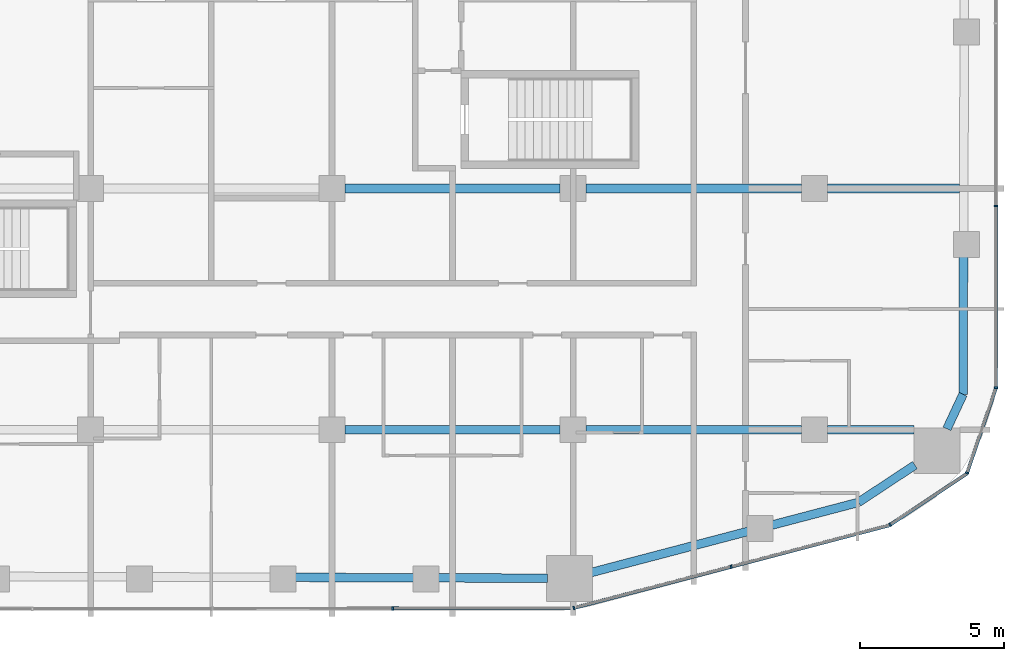
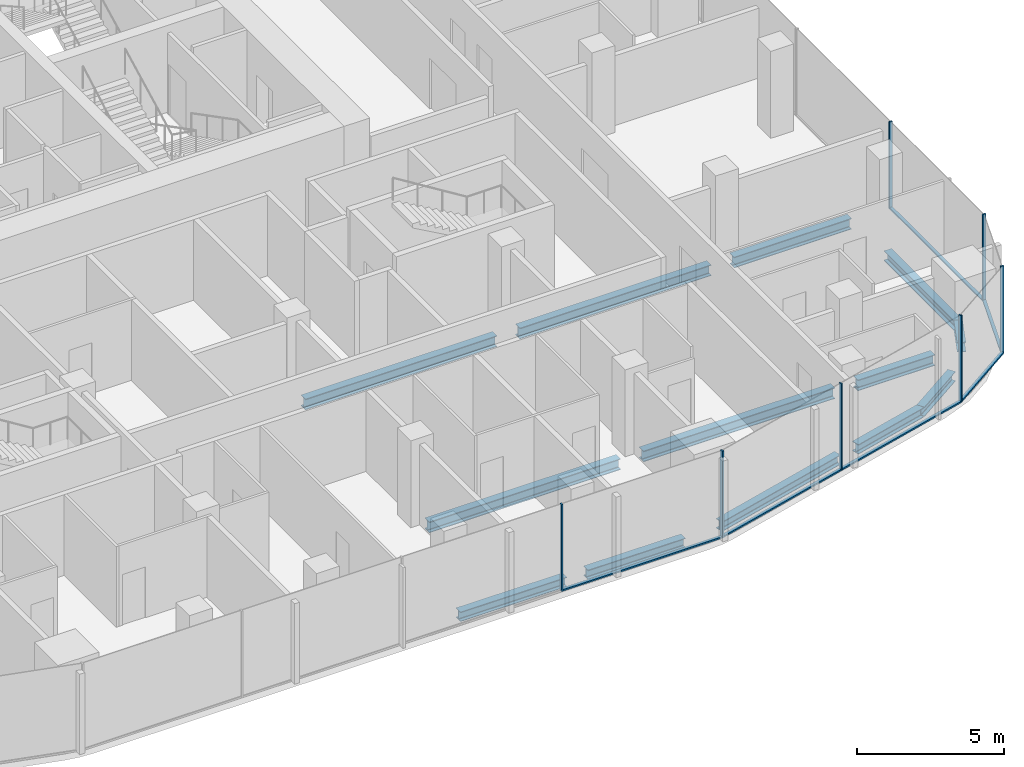
# One storey, part 6 of 23: 13 beams, 13 members, 5 elements without a shape of their own.
"""IFC4 building model written with IfcOpenShell, lengths in metres."""

from ifc_helpers import new_model, si_unit, direction, frame, origin, origin_2d, place, context, subcontext, project, spatial, rectangle, i_section, extrude, material, layer, layer_set, material_profile, profile_set, type_object, element, aggregate, save


model = new_model("IFC4")

# Units and contexts
model_context = context("Model", 3, precision=1e-05, world=origin(), true_north=direction((0.0, 1.0)))
body_context = subcontext(model_context, "Body", "Model", "MODEL_VIEW")
ifc_project = project(units=[si_unit("LENGTHUNIT", "METRE"), si_unit("AREAUNIT", "SQUARE_METRE"), si_unit("VOLUMEUNIT", "CUBIC_METRE"), si_unit("PLANEANGLEUNIT", "RADIAN"), si_unit("MASSUNIT", "GRAM", prefix="KILO")], contexts=[model_context])

# Site, building, storey
site_placement = place(None, origin())
site = spatial("IfcSite", under=ifc_project, at=site_placement, CompositionType="ELEMENT")
building_placement = place(site_placement, origin())
building = spatial("IfcBuilding", under=site, at=building_placement, Name="Marenta Gate Hotel Tower", CompositionType="ELEMENT")
storey_placement = place(building_placement, frame((0.0, 0.0, 148.10009765625)))
storey = spatial("IfcBuildingStorey", under=building, at=storey_placement, Name="L34", CompositionType="ELEMENT", Elevation=148.10009765625)

# Beams
ifc_material_1 = material(Name="Steel S355", Category="steel")
ifc_material_profile_1 = material_profile(ifc_material_1, i_section(OverallWidth=0.300048828125, OverallDepth=0.39990234375, WebThickness=0.013427734375, FlangeThickness=0.02392578125, FilletRadius=0.027099609375, at=origin_2d()), Name="HEB 400")
ifc_profile_set_1 = profile_set([ifc_material_profile_1], Name="Steel S355")
beam_type_1 = type_object("IfcBeamType", Name="Edge beam HEB 400", PredefinedType="SPANDREL", material=ifc_profile_set_1)
beam_1_placement = place(storey_placement, frame((26.191162109375, -10.761962890625, -0.460205078125), z_axis=(-0.003353298899, -0.999994377677, 0.0), x_axis=(0.999994377677, -0.003353298899, 0.0)))
element("IfcBeam", 1, at=beam_1_placement, inside=storey, type_object=beam_type_1, Name="L34-EB-27", PredefinedType="SPANDREL", context=body_context, shape_type="SweptSolid", body=[
    extrude(i_section(OverallWidth=0.300048828125, OverallDepth=0.39990234375, WebThickness=0.013427734375, FlangeThickness=0.02392578125, FilletRadius=0.027099609375, at=origin_2d()), origin(), (0.0, 0.0, 1.0), 4.80517578125),
])
beam_2_placement = place(storey_placement, frame((26.175048828125, -15.567138671875, -0.460205078125), z_axis=(-0.423207780269, -0.906032656541, 0.0), x_axis=(0.906032656541, -0.423207780269, 0.0)))
element("IfcBeam", 2, at=beam_2_placement, inside=storey, type_object=beam_type_1, Name="L34-EB-28", PredefinedType="SPANDREL", context=body_context, shape_type="SweptSolid", body=[
    extrude(i_section(OverallWidth=0.300048828125, OverallDepth=0.39990234375, WebThickness=0.013427734375, FlangeThickness=0.02392578125, FilletRadius=0.027099609375, at=origin_2d()), origin(), (0.0, 0.0, 1.0), 1.326904296875),
])
beam_3_placement = place(storey_placement, frame((24.496337890625, -18.0322265625, -0.460205078125), z_axis=(-0.834496060599, -0.551013906217, 0.0), x_axis=(0.551013906217, -0.834496060599, 0.0)))
element("IfcBeam", 3, at=beam_3_placement, inside=storey, type_object=beam_type_1, Name="L34-EB-29", PredefinedType="SPANDREL", context=body_context, shape_type="SweptSolid", body=[
    extrude(i_section(OverallWidth=0.300048828125, OverallDepth=0.39990234375, WebThickness=0.013427734375, FlangeThickness=0.02392578125, FilletRadius=0.027099609375, at=origin_2d()), origin(), (0.0, 0.0, 1.0), 2.357177734375),
])
beam_4_placement = place(storey_placement, frame((22.529296875, -19.3310546875, -0.460205078125), z_axis=(-0.967224706208, -0.25392197168, 0.0), x_axis=(0.25392197168, -0.967224706208, 0.0)))
element("IfcBeam", 4, at=beam_4_placement, inside=storey, type_object=beam_type_1, Name="L34-EB-30", PredefinedType="SPANDREL", context=body_context, shape_type="SweptSolid", body=[
    extrude(i_section(OverallWidth=0.300048828125, OverallDepth=0.39990234375, WebThickness=0.013427734375, FlangeThickness=0.02392578125, FilletRadius=0.027099609375, at=origin_2d()), origin(), (0.0, 0.0, 1.0), 3.11328125),
])
beam_5_placement = place(storey_placement, frame((18.695556640625, -20.33740234375, -0.460205078125), z_axis=(-0.96723321901, -0.253889542999, 0.0), x_axis=(0.253889542999, -0.96723321901, 0.0)))
element("IfcBeam", 5, at=beam_5_placement, inside=storey, type_object=beam_type_1, Name="L34-EB-31", PredefinedType="SPANDREL", context=body_context, shape_type="SweptSolid", body=[
    extrude(i_section(OverallWidth=0.300048828125, OverallDepth=0.39990234375, WebThickness=0.013427734375, FlangeThickness=0.02392578125, FilletRadius=0.027099609375, at=origin_2d()), origin(), (0.0, 0.0, 1.0), 5.6533203125),
])
beam_6_placement = place(storey_placement, frame((11.706298828125, -21.97021484375, -0.460205078125), z_axis=(-0.999994883969, 0.003198755307, 0.0), x_axis=(-0.003198755307, -0.999994883969, 0.0)))
element("IfcBeam", 6, at=beam_6_placement, inside=storey, type_object=beam_type_1, Name="L34-EB-32", PredefinedType="SPANDREL", context=body_context, shape_type="SweptSolid", body=[
    extrude(i_section(OverallWidth=0.300048828125, OverallDepth=0.39990234375, WebThickness=0.013427734375, FlangeThickness=0.02392578125, FilletRadius=0.027099609375, at=origin_2d()), origin(), (0.0, 0.0, 1.0), 3.816162109375),
])
beam_7_placement = place(storey_placement, frame((7.070068359375, -21.955322265625, -0.460205078125), z_axis=(-0.999994807487, 0.003222576575, 0.0), x_axis=(-0.003222576575, -0.999994807487, 0.0)))
element("IfcBeam", 7, at=beam_7_placement, inside=storey, type_object=beam_type_1, Name="L34-EB-33", PredefinedType="SPANDREL", context=body_context, shape_type="SweptSolid", body=[
    extrude(i_section(OverallWidth=0.300048828125, OverallDepth=0.39990234375, WebThickness=0.013427734375, FlangeThickness=0.02392578125, FilletRadius=0.027099609375, at=origin_2d()), origin(), (0.0, 0.0, 1.0), 4.166748046875),
])
ifc_material_2 = material(Name="Steel S355", Category="steel")
ifc_material_profile_2 = material_profile(ifc_material_2, i_section(OverallWidth=0.300048828125, OverallDepth=0.449951171875, WebThickness=0.013916015625, FlangeThickness=0.02587890625, FilletRadius=0.027099609375, at=origin_2d()), Name="HEB 450")
ifc_profile_set_2 = profile_set([ifc_material_profile_2], Name="Steel S355")
beam_type_2 = type_object("IfcBeamType", Name="Girder HEB 450", PredefinedType="BEAM", material=ifc_profile_set_2)
for number, where, z_axis, x_axis, name in (
    (8, (4.64990234375, -16.800048828125, -0.485107421875), (1.0, 0.0, 0.0), (0.0, 1.0, 0.0), "L34-GD-5"),
    (9, (13.050048828125, -16.800048828125, -0.485107421875), (1.0, 0.0, 0.0), (0.0, 1.0, 0.0), "L34-GD-6"),
):
    element("IfcBeam", number, at=place(storey_placement, frame(where, z_axis=z_axis, x_axis=x_axis)), inside=storey, type_object=beam_type_2, Name=name, PredefinedType="BEAM", context=body_context, shape_type="SweptSolid", body=[
        extrude(i_section(OverallWidth=0.300048828125, OverallDepth=0.449951171875, WebThickness=0.013916015625, FlangeThickness=0.02587890625, FilletRadius=0.027099609375, at=origin_2d()), origin(), (0.0, 0.0, 1.0), 7.5),
    ])
beam_8_placement = place(storey_placement, frame((21.449951171875, -16.800048828125, -0.485107421875), z_axis=(1.0, 0.0, 0.0), x_axis=(0.0, 1.0, 0.0)))
element("IfcBeam", 10, at=beam_8_placement, inside=storey, type_object=beam_type_2, Name="L34-GD-7", PredefinedType="BEAM", context=body_context, shape_type="SweptSolid", body=[
    extrude(i_section(OverallWidth=0.300048828125, OverallDepth=0.449951171875, WebThickness=0.013916015625, FlangeThickness=0.02587890625, FilletRadius=0.027099609375, at=origin_2d()), origin(), (0.0, 0.0, 1.0), 3.012939453125),
])
for number, where, z_axis, x_axis, name in (
    (11, (4.64990234375, -8.39990234375, -0.485107421875), (1.0, 0.0, 0.0), (0.0, 1.0, 0.0), "L34-GD-12"),
    (12, (13.050048828125, -8.39990234375, -0.485107421875), (1.0, 0.0, 0.0), (0.0, 1.0, 0.0), "L34-GD-13"),
):
    element("IfcBeam", number, at=place(storey_placement, frame(where, z_axis=z_axis, x_axis=x_axis)), inside=storey, type_object=beam_type_2, Name=name, PredefinedType="BEAM", context=body_context, shape_type="SweptSolid", body=[
        extrude(i_section(OverallWidth=0.300048828125, OverallDepth=0.449951171875, WebThickness=0.013916015625, FlangeThickness=0.02587890625, FilletRadius=0.027099609375, at=origin_2d()), origin(), (0.0, 0.0, 1.0), 7.5),
    ])
beam_9_placement = place(storey_placement, frame((21.449951171875, -8.39990234375, -0.485107421875), z_axis=(1.0, 0.0, 0.0), x_axis=(0.0, 1.0, 0.0)))
element("IfcBeam", 13, at=beam_9_placement, inside=storey, type_object=beam_type_2, Name="L34-GD-14", PredefinedType="BEAM", context=body_context, shape_type="SweptSolid", body=[
    extrude(i_section(OverallWidth=0.300048828125, OverallDepth=0.449951171875, WebThickness=0.013916015625, FlangeThickness=0.02587890625, FilletRadius=0.027099609375, at=origin_2d()), origin(), (0.0, 0.0, 1.0), 4.59912109375),
])

# Curtain wall, member
ifc_material_3 = material(Name="Tinted insulated glass in bronze anodised frame", Category="glass")
ifc_layer = layer(ifc_material_3, 0.1201171875)
ifc_layer_set = layer_set([ifc_layer], Name="Tinted insulated glass in bronze anodised frame")
curtain_wall_type = type_object("IfcCurtainWallType", Name="Tower unitised curtain wall CW1", PredefinedType="NOTDEFINED", material=ifc_layer_set)
curtain_wall_1_placement = place(storey_placement, origin())
curtain_wall_1 = element("IfcCurtainWall", 14, at=curtain_wall_1_placement, inside=storey, type_object=curtain_wall_type, Name="CW1 run G07", PredefinedType="NOTDEFINED")
ifc_material_4 = material(Name="Bronze anodised aluminium", Category="aluminium")
ifc_material_profile_3 = material_profile(ifc_material_4, rectangle(XDim=0.1201171875, YDim=0.06005859375, at=origin_2d()), Name="Mullion CW1 60x120 bronze anodised aluminium")
ifc_profile_set_3 = profile_set([ifc_material_profile_3], Name="Bronze anodised aluminium")
member_type_1 = type_object("IfcMemberType", Name="Mullion CW1 60x120 bronze anodised aluminium", PredefinedType="MULLION", material=ifc_profile_set_3)
member_1_placement = place(storey_placement, frame((6.32177734375, -23.021728515625, 0.0), z_axis=(0.0, 0.0, 1.0), x_axis=(-0.001362347707, 0.999999072004, 0.0)))
member_1 = element("IfcMember", 15, at=member_1_placement, type_object=member_type_1, Name="CW1 mullion 4", PredefinedType="MULLION", context=body_context, shape_type="SweptSolid", body=[
    extrude(rectangle(XDim=0.1201171875, YDim=0.06005859375, at=origin_2d()), origin(), (0.0, 0.0, 1.0), 3.599853515625),
])

# Curtain wall, members
curtain_wall_2_placement = place(storey_placement, origin())
curtain_wall_2 = element("IfcCurtainWall", 16, at=curtain_wall_2_placement, inside=storey, type_object=curtain_wall_type, Name="CW1 run G08", PredefinedType="NOTDEFINED")
member_2_placement = place(storey_placement, frame((12.626708984375, -23.005615234375, 0.0), z_axis=(0.0, 0.0, 1.0), x_axis=(-0.253374270473, 0.967368326473, 0.0)))
member_2 = element("IfcMember", 17, at=member_2_placement, type_object=member_type_1, Name="CW1 mullion 1", PredefinedType="MULLION", context=body_context, shape_type="SweptSolid", body=[
    extrude(rectangle(XDim=0.1201171875, YDim=0.06005859375, at=origin_2d()), origin(), (0.0, 0.0, 1.0), 3.599853515625),
])
member_3_placement = place(storey_placement, frame((18.102783203125, -21.571533203125, 0.0), z_axis=(0.0, 0.0, 1.0), x_axis=(-0.253374270473, 0.967368326473, 0.0)))
member_3 = element("IfcMember", 18, at=member_3_placement, type_object=member_type_1, Name="CW1 mullion 2", PredefinedType="MULLION", context=body_context, shape_type="SweptSolid", body=[
    extrude(rectangle(XDim=0.1201171875, YDim=0.06005859375, at=origin_2d()), origin(), (0.0, 0.0, 1.0), 3.599853515625),
])

# Curtain wall, member
curtain_wall_3_placement = place(storey_placement, origin())
curtain_wall_3 = element("IfcCurtainWall", 19, at=curtain_wall_3_placement, inside=storey, type_object=curtain_wall_type, Name="CW1 run G09", PredefinedType="NOTDEFINED")
member_4_placement = place(storey_placement, frame((23.632568359375, -20.113037109375, 0.0), z_axis=(0.0, 0.0, 1.0), x_axis=(-0.554016243423, 0.832505857051, 0.0)))
member_4 = element("IfcMember", 20, at=member_4_placement, type_object=member_type_1, Name="CW1 mullion 1", PredefinedType="MULLION", context=body_context, shape_type="SweptSolid", body=[
    extrude(rectangle(XDim=0.1201171875, YDim=0.06005859375, at=origin_2d()), origin(), (0.0, 0.0, 1.0), 3.599853515625),
])

curtain_wall_4_placement = place(storey_placement, origin())
curtain_wall_4 = element("IfcCurtainWall", 21, at=curtain_wall_4_placement, inside=storey, type_object=curtain_wall_type, Name="CW1 run G10", PredefinedType="NOTDEFINED")
member_5_placement = place(storey_placement, frame((26.314453125, -18.30615234375, 0.0), z_axis=(0.0, 0.0, 1.0), x_axis=(-0.946728385013, 0.322033173773, 0.0)))
member_5 = element("IfcMember", 22, at=member_5_placement, type_object=member_type_1, Name="CW1 mullion 1", PredefinedType="MULLION", context=body_context, shape_type="SweptSolid", body=[
    extrude(rectangle(XDim=0.1201171875, YDim=0.06005859375, at=origin_2d()), origin(), (0.0, 0.0, 1.0), 3.599853515625),
])

# Curtain wall, members
curtain_wall_5_placement = place(storey_placement, origin())
curtain_wall_5 = element("IfcCurtainWall", 23, at=curtain_wall_5_placement, inside=storey, type_object=curtain_wall_type, Name="CW1 run G11", PredefinedType="NOTDEFINED")
member_6_placement = place(storey_placement, frame((27.31396484375, -15.337890625, 0.0), z_axis=(0.0, 0.0, 1.0), x_axis=(-1.0, 0.0, 0.0)))
member_6 = element("IfcMember", 24, at=member_6_placement, type_object=member_type_1, Name="CW1 mullion 1", PredefinedType="MULLION", context=body_context, shape_type="SweptSolid", body=[
    extrude(rectangle(XDim=0.1201171875, YDim=0.06005859375, at=origin_2d()), origin(), (0.0, 0.0, 1.0), 3.599853515625),
])
member_7_placement = place(storey_placement, frame((27.31396484375, -9.008056640625, 0.0), z_axis=(0.0, 0.0, 1.0), x_axis=(-1.0, 0.0, 0.0)))
member_7 = element("IfcMember", 25, at=member_7_placement, type_object=member_type_1, Name="CW1 mullion 2", PredefinedType="MULLION", context=body_context, shape_type="SweptSolid", body=[
    extrude(rectangle(XDim=0.1201171875, YDim=0.06005859375, at=origin_2d()), origin(), (0.0, 0.0, 1.0), 3.599853515625),
])

# Member
ifc_material_5 = material(Name="Bronze anodised aluminium", Category="aluminium")
ifc_material_profile_4 = material_profile(ifc_material_5, rectangle(XDim=0.1201171875, YDim=0.06005859375, at=origin_2d()), Name="Transom CW1 60x120 bronze anodised aluminium")
ifc_profile_set_4 = profile_set([ifc_material_profile_4], Name="Bronze anodised aluminium")
member_type_2 = type_object("IfcMemberType", Name="Transom CW1 60x120 bronze anodised aluminium", PredefinedType="USERDEFINED", material=ifc_profile_set_4)
member_8_placement = place(storey_placement, frame((6.351806640625, -23.021728515625, 0.02978515625), z_axis=(0.999999064231, 0.001368041246, 0.0), x_axis=(-0.001368041246, 0.999999064231, 0.0)))
member_8 = element("IfcMember", 26, at=member_8_placement, type_object=member_type_2, Name="CW1 transom 4.1", ObjectType="TRANSOM", PredefinedType="USERDEFINED", context=body_context, shape_type="SweptSolid", body=[
    extrude(rectangle(XDim=0.1201171875, YDim=0.06005859375, at=origin_2d()), origin(), (0.0, 0.0, 1.0), 6.24609375),
])

aggregate(curtain_wall_1, [member_1, member_8])

member_9_placement = place(storey_placement, frame((12.65576171875, -22.998046875, 0.02978515625), z_axis=(0.967374258372, 0.25335162174, 0.0), x_axis=(-0.25335162174, 0.967374258372, 0.0)))
member_9 = element("IfcMember", 27, at=member_9_placement, type_object=member_type_2, Name="CW1 transom 1.1", ObjectType="TRANSOM", PredefinedType="USERDEFINED", context=body_context, shape_type="SweptSolid", body=[
    extrude(rectangle(XDim=0.1201171875, YDim=0.06005859375, at=origin_2d()), origin(), (0.0, 0.0, 1.0), 5.6005859375),
])

member_10_placement = place(storey_placement, frame((18.1318359375, -21.56396484375, 0.02978515625), z_axis=(0.967364420611, 0.253389182357, 0.0), x_axis=(-0.253389182357, 0.967364420611, 0.0)))
member_10 = element("IfcMember", 28, at=member_10_placement, type_object=member_type_2, Name="CW1 transom 2.1", ObjectType="TRANSOM", PredefinedType="USERDEFINED", context=body_context, shape_type="SweptSolid", body=[
    extrude(rectangle(XDim=0.1201171875, YDim=0.06005859375, at=origin_2d()), origin(), (0.0, 0.0, 1.0), 5.66064453125),
])

aggregate(curtain_wall_2, [member_2, member_3, member_9, member_10])

member_11_placement = place(storey_placement, frame((23.657470703125, -20.096435546875, 0.02978515625), z_axis=(0.832522439521, 0.553991324565, 0.0), x_axis=(-0.553991324565, 0.832522439521, 0.0)))
member_11 = element("IfcMember", 29, at=member_11_placement, type_object=member_type_2, Name="CW1 transom 1.1", ObjectType="TRANSOM", PredefinedType="USERDEFINED", context=body_context, shape_type="SweptSolid", body=[
    extrude(rectangle(XDim=0.1201171875, YDim=0.06005859375, at=origin_2d()), origin(), (0.0, 0.0, 1.0), 3.179931640625),
])

aggregate(curtain_wall_3, [member_4, member_11])

member_12_placement = place(storey_placement, frame((26.32421875, -18.27783203125, 0.02978515625), z_axis=(0.322012379162, 0.946735458123, 0.0), x_axis=(-0.946735458123, 0.322012379162, 0.0)))
member_12 = element("IfcMember", 30, at=member_12_placement, type_object=member_type_2, Name="CW1 transom 1.1", ObjectType="TRANSOM", PredefinedType="USERDEFINED", context=body_context, shape_type="SweptSolid", body=[
    extrude(rectangle(XDim=0.1201171875, YDim=0.06005859375, at=origin_2d()), origin(), (0.0, 0.0, 1.0), 3.07373046875),
])

aggregate(curtain_wall_4, [member_5, member_12])

member_13_placement = place(storey_placement, frame((27.31396484375, -15.30810546875, 0.02978515625), z_axis=(0.0, 1.0, 0.0), x_axis=(-1.0, 0.0, 0.0)))
member_13 = element("IfcMember", 31, at=member_13_placement, type_object=member_type_2, Name="CW1 transom 1.1", ObjectType="TRANSOM", PredefinedType="USERDEFINED", context=body_context, shape_type="SweptSolid", body=[
    extrude(rectangle(XDim=0.1201171875, YDim=0.06005859375, at=origin_2d()), origin(), (0.0, 0.0, 1.0), 6.27001953125),
])

aggregate(curtain_wall_5, [member_6, member_7, member_13])

save(model, "model.ifc")
